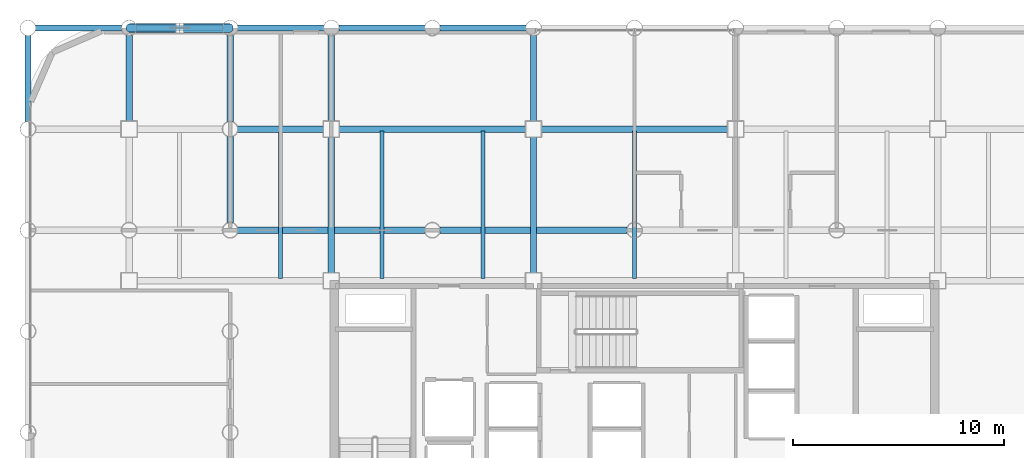
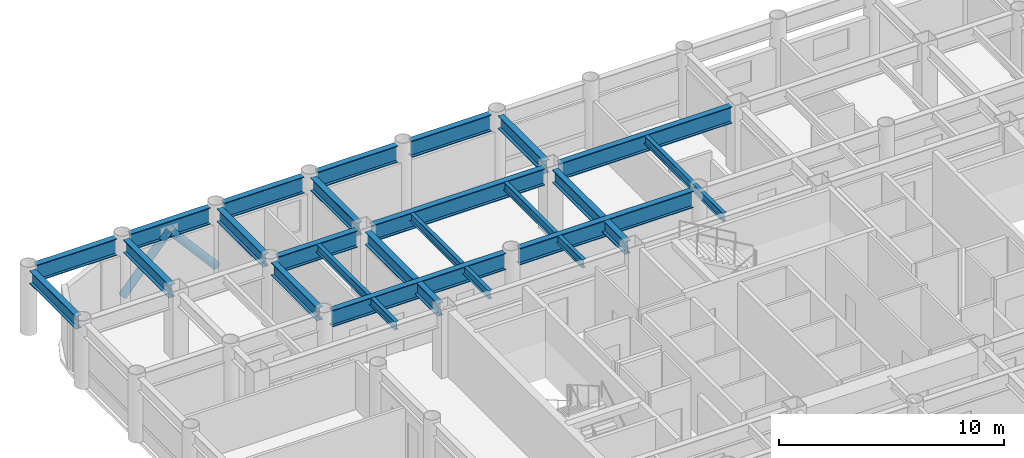
# One storey, part 10 of 19: 22 beams, 2 members.
"""IFC4 building model written with IfcOpenShell, lengths in metres."""

from ifc_helpers import new_model, si_unit, direction, frame, origin, origin_2d, place, context, subcontext, project, spatial, hollow_circle, i_section, extrude, material, material_profile, profile_set, type_object, element, save


model = new_model("IFC4")

# Units and contexts
model_context = context("Model", 3, precision=1e-05, world=origin(), true_north=direction((0.0, 1.0)))
body_context = subcontext(model_context, "Body", "Model", "MODEL_VIEW")
ifc_project = project(units=[si_unit("LENGTHUNIT", "METRE"), si_unit("AREAUNIT", "SQUARE_METRE"), si_unit("VOLUMEUNIT", "CUBIC_METRE"), si_unit("PLANEANGLEUNIT", "RADIAN"), si_unit("MASSUNIT", "GRAM", prefix="KILO")], contexts=[model_context])

# Site, building, storey
site_placement = place(None, origin())
site = spatial("IfcSite", under=ifc_project, at=site_placement, CompositionType="ELEMENT")
building_placement = place(site_placement, origin())
building = spatial("IfcBuilding", under=site, at=building_placement, Name="Kallvorn Hotel Tower", CompositionType="ELEMENT")
storey_placement = place(building_placement, frame((0.0, 0.0, 67.0)))
storey = spatial("IfcBuildingStorey", under=building, at=storey_placement, Name="L15", CompositionType="ELEMENT", Elevation=67.0)

# Beams
ifc_material_1 = material(Name="Structural steel S355JR", Category="steel")
ifc_material_profile_1 = material_profile(ifc_material_1, i_section(OverallWidth=0.300048828125, OverallDepth=0.699951171875, WebThickness=0.01708984375, FlangeThickness=0.031982421875, at=origin_2d()), Name="HE 700 B")
ifc_profile_set_1 = profile_set([ifc_material_profile_1], Name="Structural steel S355JR")
beam_type_1 = type_object("IfcBeamType", Name="BM_HE700B", PredefinedType="BEAM", material=ifc_profile_set_1)
beam_1_placement = place(storey_placement, frame((-28.800048828125, 14.756103515625, 3.169921875), z_axis=(0.0, 1.0, 0.0), x_axis=(-1.0, 0.0, 0.0)))
element("IfcBeam", 1, at=beam_1_placement, inside=storey, type_object=beam_type_1, Name="L16 Primary Y-Girder 80", PredefinedType="BEAM", context=body_context, shape_type="SweptSolid", body=[
    extrude(i_section(OverallWidth=0.300048828125, OverallDepth=0.699951171875, WebThickness=0.01708984375, FlangeThickness=0.031982421875, at=origin_2d()), origin(), (0.0, 0.0, 1.0), 4.087890625),
])
beam_2_placement = place(storey_placement, frame((-24.0, 14.77490234375, 3.169921875), z_axis=(0.0, 1.0, 0.0), x_axis=(-1.0, 0.0, 0.0)))
element("IfcBeam", 2, at=beam_2_placement, inside=storey, type_object=beam_type_1, Name="L16 Primary Y-Girder 87", PredefinedType="BEAM", context=body_context, shape_type="SweptSolid", body=[
    extrude(i_section(OverallWidth=0.300048828125, OverallDepth=0.699951171875, WebThickness=0.01708984375, FlangeThickness=0.031982421875, at=origin_2d()), origin(), (0.0, 0.0, 1.0), 4.069091796875),
])
for number, where, z_axis, x_axis, name in (
    (3, (-19.199951171875, 9.9560546875, 3.169921875), (0.0, 1.0, 0.0), (-1.0, 0.0, 0.0), "L16 Primary Y-Girder 95"),
    (4, (-19.199951171875, 14.756103515625, 3.169921875), (0.0, 1.0, 0.0), (-1.0, 0.0, 0.0), "L16 Primary Y-Girder 96"),
):
    element("IfcBeam", number, at=place(storey_placement, frame(where, z_axis=z_axis, x_axis=x_axis)), inside=storey, type_object=beam_type_1, Name=name, PredefinedType="BEAM", context=body_context, shape_type="SweptSolid", body=[
        extrude(i_section(OverallWidth=0.300048828125, OverallDepth=0.699951171875, WebThickness=0.01708984375, FlangeThickness=0.031982421875, at=origin_2d()), origin(), (0.0, 0.0, 1.0), 4.087890625),
    ])
beam_3_placement = place(storey_placement, frame((-14.39990234375, 7.574951171875, 3.169921875), z_axis=(0.0, 1.0, 0.0), x_axis=(-1.0, 0.0, 0.0)))
element("IfcBeam", 5, at=beam_3_placement, inside=storey, type_object=beam_type_1, Name="L16 Primary Y-Girder 100", PredefinedType="BEAM", context=body_context, shape_type="SweptSolid", body=[
    extrude(i_section(OverallWidth=0.300048828125, OverallDepth=0.699951171875, WebThickness=0.01708984375, FlangeThickness=0.031982421875, at=origin_2d()), origin(), (0.0, 0.0, 1.0), 6.449951171875),
])
beam_4_placement = place(storey_placement, frame((-14.39990234375, 14.77490234375, 3.169921875), z_axis=(0.0, 1.0, 0.0), x_axis=(-1.0, 0.0, 0.0)))
element("IfcBeam", 6, at=beam_4_placement, inside=storey, type_object=beam_type_1, Name="L16 Primary Y-Girder 101", PredefinedType="BEAM", context=body_context, shape_type="SweptSolid", body=[
    extrude(i_section(OverallWidth=0.300048828125, OverallDepth=0.699951171875, WebThickness=0.01708984375, FlangeThickness=0.031982421875, at=origin_2d()), origin(), (0.0, 0.0, 1.0), 4.069091796875),
])
beam_5_placement = place(storey_placement, frame((-4.800048828125, 7.574951171875, 3.169921875), z_axis=(0.0, 1.0, 0.0), x_axis=(-1.0, 0.0, 0.0)))
element("IfcBeam", 7, at=beam_5_placement, inside=storey, type_object=beam_type_1, Name="L16 Primary Y-Girder 108", PredefinedType="BEAM", context=body_context, shape_type="SweptSolid", body=[
    extrude(i_section(OverallWidth=0.300048828125, OverallDepth=0.699951171875, WebThickness=0.01708984375, FlangeThickness=0.031982421875, at=origin_2d()), origin(), (0.0, 0.0, 1.0), 6.449951171875),
])
beam_6_placement = place(storey_placement, frame((-4.800048828125, 14.77490234375, 3.169921875), z_axis=(0.0, 1.0, 0.0), x_axis=(-1.0, 0.0, 0.0)))
element("IfcBeam", 8, at=beam_6_placement, inside=storey, type_object=beam_type_1, Name="L16 Primary Y-Girder 109", PredefinedType="BEAM", context=body_context, shape_type="SweptSolid", body=[
    extrude(i_section(OverallWidth=0.300048828125, OverallDepth=0.699951171875, WebThickness=0.01708984375, FlangeThickness=0.031982421875, at=origin_2d()), origin(), (0.0, 0.0, 1.0), 4.069091796875),
])
ifc_material_2 = material(Name="Structural steel S355JR", Category="steel")
ifc_material_profile_2 = material_profile(ifc_material_2, i_section(OverallWidth=0.300048828125, OverallDepth=0.89990234375, WebThickness=0.0185546875, FlangeThickness=0.034912109375, at=origin_2d()), Name="HE 900 B")
ifc_profile_set_2 = profile_set([ifc_material_profile_2], Name="Structural steel S355JR")
beam_type_2 = type_object("IfcBeamType", Name="BM_HE900B", PredefinedType="BEAM", material=ifc_profile_set_2)
for number, where, z_axis, x_axis, name in (
    (9, (-18.843994140625, 9.60009765625, 3.070068359375), (1.0, 0.0, 0.0), (0.0, 1.0, 0.0), "L16 Primary X-Girder 44"),
    (10, (-9.243896484375, 9.60009765625, 3.070068359375), (1.0, 0.0, 0.0), (0.0, 1.0, 0.0), "L16 Primary X-Girder 45"),
):
    element("IfcBeam", number, at=place(storey_placement, frame(where, z_axis=z_axis, x_axis=x_axis)), inside=storey, type_object=beam_type_2, Name=name, PredefinedType="BEAM", context=body_context, shape_type="SweptSolid", body=[
        extrude(i_section(OverallWidth=0.300048828125, OverallDepth=0.89990234375, WebThickness=0.0185546875, FlangeThickness=0.034912109375, at=origin_2d()), origin(), (0.0, 0.0, 1.0), 8.887939453125),
    ])
beam_7_placement = place(storey_placement, frame((-18.843994140625, 14.39990234375, 3.070068359375), z_axis=(1.0, 0.0, 0.0), x_axis=(0.0, 1.0, 0.0)))
element("IfcBeam", 11, at=beam_7_placement, inside=storey, type_object=beam_type_2, Name="L16 Primary X-Girder 53", PredefinedType="BEAM", context=body_context, shape_type="SweptSolid", body=[
    extrude(i_section(OverallWidth=0.300048828125, OverallDepth=0.89990234375, WebThickness=0.0185546875, FlangeThickness=0.034912109375, at=origin_2d()), origin(), (0.0, 0.0, 1.0), 4.069091796875),
])
beam_8_placement = place(storey_placement, frame((-14.02490234375, 14.39990234375, 3.070068359375), z_axis=(1.0, 0.0, 0.0), x_axis=(0.0, 1.0, 0.0)))
element("IfcBeam", 12, at=beam_8_placement, inside=storey, type_object=beam_type_2, Name="L16 Primary X-Girder 54", PredefinedType="BEAM", context=body_context, shape_type="SweptSolid", body=[
    extrude(i_section(OverallWidth=0.300048828125, OverallDepth=0.89990234375, WebThickness=0.0185546875, FlangeThickness=0.034912109375, at=origin_2d()), origin(), (0.0, 0.0, 1.0), 8.849853515625),
])
beam_9_placement = place(storey_placement, frame((-4.425048828125, 14.39990234375, 3.070068359375), z_axis=(1.0, 0.0, 0.0), x_axis=(0.0, 1.0, 0.0)))
element("IfcBeam", 13, at=beam_9_placement, inside=storey, type_object=beam_type_2, Name="L16 Primary X-Girder 55", PredefinedType="BEAM", context=body_context, shape_type="SweptSolid", body=[
    extrude(i_section(OverallWidth=0.300048828125, OverallDepth=0.89990234375, WebThickness=0.0185546875, FlangeThickness=0.034912109375, at=origin_2d()), origin(), (0.0, 0.0, 1.0), 8.85009765625),
])
for number, where, z_axis, x_axis, name in (
    (14, (-28.444091796875, 19.199951171875, 3.070068359375), (1.0, 0.0, 0.0), (0.0, 1.0, 0.0), "L16 Primary X-Girder 61"),
    (15, (-23.64404296875, 19.199951171875, 3.070068359375), (1.0, 0.0, 0.0), (0.0, 1.0, 0.0), "L16 Primary X-Girder 62"),
):
    element("IfcBeam", number, at=place(storey_placement, frame(where, z_axis=z_axis, x_axis=x_axis)), inside=storey, type_object=beam_type_2, Name=name, PredefinedType="BEAM", context=body_context, shape_type="SweptSolid", body=[
        extrude(i_section(OverallWidth=0.300048828125, OverallDepth=0.89990234375, WebThickness=0.0185546875, FlangeThickness=0.034912109375, at=origin_2d()), origin(), (0.0, 0.0, 1.0), 4.088134765625),
    ])
for number, where, z_axis, x_axis, name in (
    (16, (-18.843994140625, 19.199951171875, 3.070068359375), (1.0, 0.0, 0.0), (0.0, 1.0, 0.0), "L16 Primary X-Girder 63"),
    (17, (-14.0439453125, 19.199951171875, 3.070068359375), (1.0, 0.0, 0.0), (0.0, 1.0, 0.0), "L16 Primary X-Girder 64"),
    (18, (-9.243896484375, 19.199951171875, 3.070068359375), (1.0, 0.0, 0.0), (0.0, 1.0, 0.0), "L16 Primary X-Girder 65"),
):
    element("IfcBeam", number, at=place(storey_placement, frame(where, z_axis=z_axis, x_axis=x_axis)), inside=storey, type_object=beam_type_2, Name=name, PredefinedType="BEAM", context=body_context, shape_type="SweptSolid", body=[
        extrude(i_section(OverallWidth=0.300048828125, OverallDepth=0.89990234375, WebThickness=0.0185546875, FlangeThickness=0.034912109375, at=origin_2d()), origin(), (0.0, 0.0, 1.0), 4.087890625),
    ])
ifc_material_3 = material(Name="Structural steel S355JR", Category="steel")
ifc_material_profile_3 = material_profile(ifc_material_3, i_section(OverallWidth=0.18994140625, OverallDepth=0.449951171875, WebThickness=0.009521484375, FlangeThickness=0.0146484375, at=origin_2d()), Name="IPE 450")
ifc_profile_set_3 = profile_set([ifc_material_profile_3], Name="Structural steel S355JR")
beam_type_3 = type_object("IfcBeamType", Name="BM_IPE450", PredefinedType="JOIST", material=ifc_profile_set_3)
for number, where, z_axis, x_axis, name in (
    (19, (-16.800048828125, 7.300048828125, 3.294921875), (0.0, 1.0, 0.0), (-1.0, 0.0, 0.0), "L16 Secondary Composite Joist 195"),
    (20, (-12.0, 7.300048828125, 3.294921875), (0.0, 1.0, 0.0), (-1.0, 0.0, 0.0), "L16 Secondary Composite Joist 197"),
    (21, (-7.199951171875, 7.300048828125, 3.294921875), (0.0, 1.0, 0.0), (-1.0, 0.0, 0.0), "L16 Secondary Composite Joist 199"),
    (22, (0.0, 7.300048828125, 3.294921875), (0.0, 1.0, 0.0), (-1.0, 0.0, 0.0), "L16 Secondary Composite Joist 201"),
):
    element("IfcBeam", number, at=place(storey_placement, frame(where, z_axis=z_axis, x_axis=x_axis)), inside=storey, type_object=beam_type_3, Name=name, PredefinedType="JOIST", context=body_context, shape_type="SweptSolid", body=[
        extrude(i_section(OverallWidth=0.18994140625, OverallDepth=0.449951171875, WebThickness=0.009521484375, FlangeThickness=0.0146484375, at=origin_2d()), origin(), (0.0, 0.0, 1.0), 7.0),
    ])

# Members
ifc_material_4 = material(Name="Structural steel S355J2H", Category="steel")
ifc_material_profile_4 = material_profile(ifc_material_4, hollow_circle(Radius=0.203125, WallThickness=0.01611328125, at=origin_2d()), Name="CHS 406.4x16")
ifc_profile_set_4 = profile_set([ifc_material_profile_4], Name="Structural steel S355J2H")
member_type = type_object("IfcMemberType", Name="MBR_EXO_CHS406", PredefinedType="BRACE", material=ifc_profile_set_4)
for number, where, z_axis, x_axis, name in (
    (23, (-23.98681640625, 19.199951171875, 0.195068359375), (0.65346062529, 0.0, 0.756960508346), (0.0, 1.0, 0.0), "L15 Exoskeleton K-Brace N1A"),
    (24, (-19.213134765625, 19.199951171875, 0.195068359375), (-0.65346062529, 0.0, 0.756960508346), (0.0, -1.0, 0.0), "L15 Exoskeleton K-Brace N1B"),
):
    element("IfcMember", number, at=place(storey_placement, frame(where, z_axis=z_axis, x_axis=x_axis)), inside=storey, type_object=member_type, Name=name, PredefinedType="BRACE", context=body_context, shape_type="SweptSolid", body=[
        extrude(hollow_circle(Radius=0.203125, WallThickness=0.01611328125, at=origin_2d()), origin(), (0.0, 0.0, 1.0), 3.632568359375),
    ])

save(model, "model.ifc")
